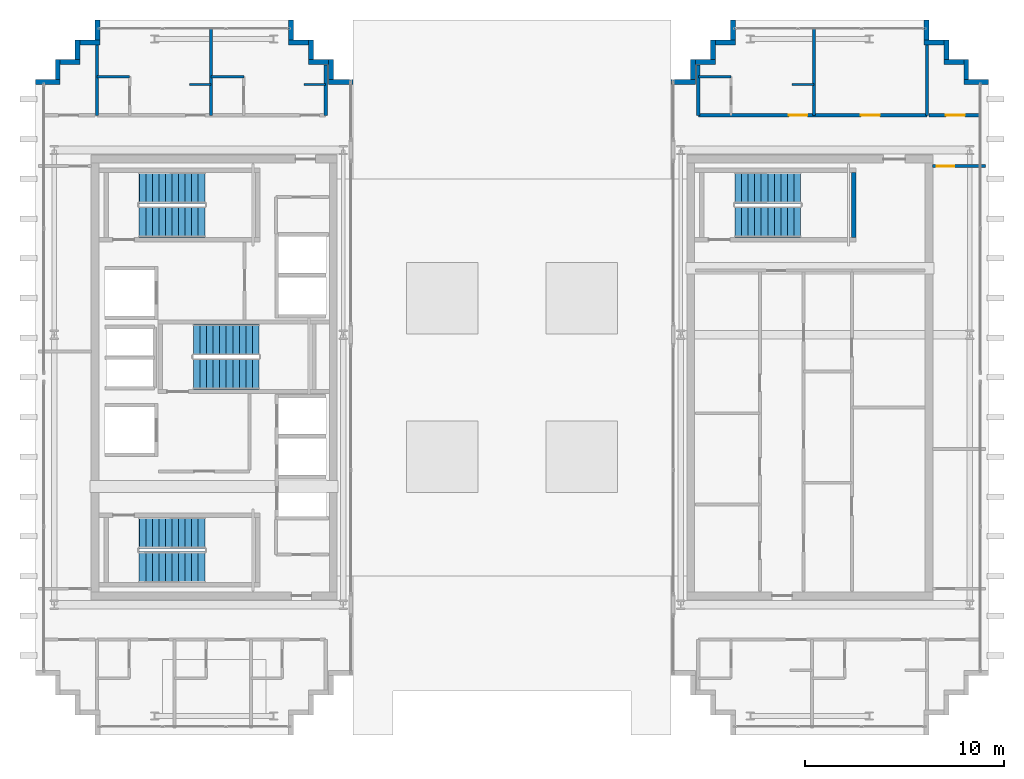
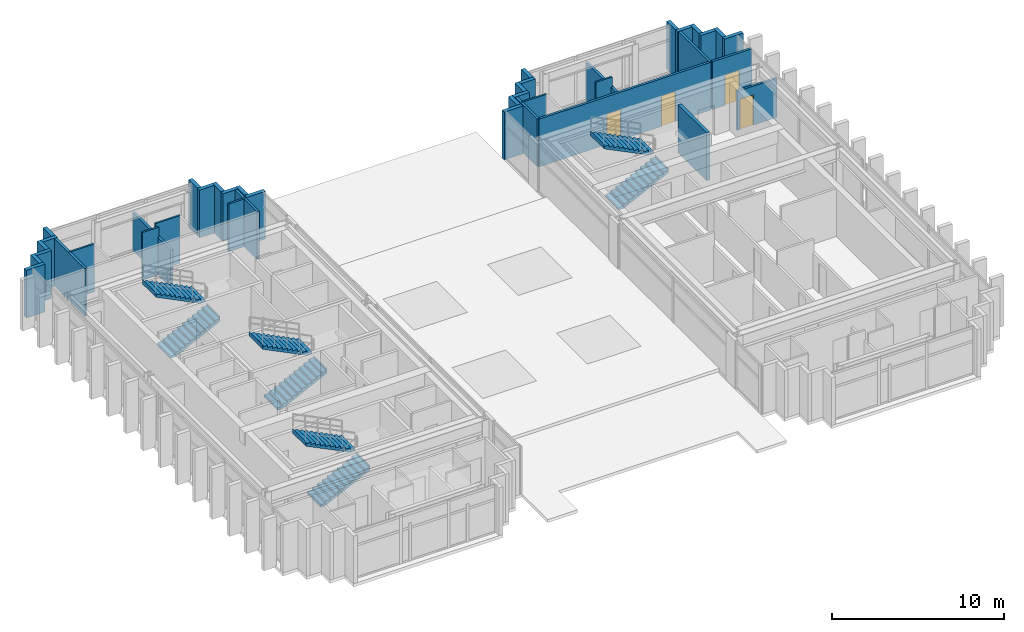
# One storey, part 23 of 25: 40 walls, 8 stair flights, 4 doors, 4 openings, 4 elements without a shape of their own.
"""IFC4 building model written with IfcOpenShell, lengths in metres."""

import ifcopenshell
import ifcopenshell.guid

model = None  # the IFC model being written
_history = None  # IfcOwnerHistory: only IFC2X3 demands one
_inside = {}  # id of a spatial element -> (the spatial element, [elements in it])
_under = {}  # id of a project, library or spatial element -> (it, [spatial elements below it])
_declared = {}  # id of a project -> (the project, [libraries it declares])
_typed = {}  # id of a type object -> (the type object, [elements of that type])
_made_of = {}  # id of a material, layer set ... -> (it, [elements and type objects made of it])


def new_model(schema):
    """Start an empty IFC model of exactly this schema.

    Asked for "IFC4X3", IfcOpenShell would pick the latest addendum, in which some entities
    have other attributes; the version numbers below select the first issue.
    IFC2X3 requires an IfcOwnerHistory on every rooted entity: one is made here for all.
    """
    global model, _history
    if schema == "IFC4X3":
        model = ifcopenshell.file(schema_version=(4, 3, 0, 0))
    else:
        model = ifcopenshell.file(schema=schema)
    _inside.clear()
    _under.clear()
    _declared.clear()
    _typed.clear()
    _made_of.clear()
    _history = None
    if model.schema == "IFC2X3":
        org = make("IfcOrganization", Name="unknown")
        user = make(
            "IfcPersonAndOrganization",
            ThePerson=make("IfcPerson", FamilyName="unknown"),
            TheOrganization=org,
        )
        app = make(
            "IfcApplication",
            ApplicationDeveloper=org,
            Version="unknown",
            ApplicationFullName="unknown",
            ApplicationIdentifier="unknown",
        )
        _history = make(
            "IfcOwnerHistory",
            OwningUser=user,
            OwningApplication=app,
            ChangeAction="ADDED",
            CreationDate=0,
        )
    return model


def make(cls, **values):
    """One entity of the class cls with the attributes given. An attribute that is None is left unset."""
    return model.create_entity(
        cls, **{name: value for name, value in values.items() if value is not None}
    )


def rooted(cls, **values):
    """An entity with a GlobalId (a new one), such as an element, a storey or a relation."""
    return make(cls, GlobalId=ifcopenshell.guid.new(), OwnerHistory=_history, **values)


def si_unit(unit_type, name, prefix=None):
    """IfcSIUnit, for example si_unit("LENGTHUNIT", "METRE", prefix="MILLI")."""
    return make("IfcSIUnit", UnitType=unit_type, Prefix=prefix, Name=name)


def assignment(units):
    """IfcUnitAssignment: the units of a project."""
    return None if units is None else make("IfcUnitAssignment", Units=units)


def point(xyz):
    """IfcCartesianPoint."""
    return None if xyz is None else make("IfcCartesianPoint", Coordinates=xyz)


def direction(xyz):
    """IfcDirection."""
    return None if xyz is None else make("IfcDirection", DirectionRatios=xyz)


def frame(location, z_axis=None, x_axis=None):
    """IfcAxis2Placement3D, a coordinate frame: its origin and axes. An axis left out is left unset."""
    return make(
        "IfcAxis2Placement3D",
        Location=point(location),
        Axis=direction(z_axis),
        RefDirection=direction(x_axis),
    )


def frame_2d(location, x_axis=None):
    """IfcAxis2Placement2D, a coordinate frame in the plane: its origin and x axis."""
    return make(
        "IfcAxis2Placement2D", Location=point(location), RefDirection=direction(x_axis)
    )


def origin():
    """The frame at (0, 0, 0) with its axes left unset."""
    return frame((0.0, 0.0, 0.0))


def place(relative_to, where):
    """IfcLocalPlacement: puts the frame where relative to a parent placement (None: the world)."""
    return make(
        "IfcLocalPlacement", PlacementRelTo=relative_to, RelativePlacement=where
    )


def context(
    kind, dimensions, precision=None, world=None, true_north=None, identifier=None
):
    """IfcGeometricRepresentationContext, for example the 3D "Model" context."""
    return make(
        "IfcGeometricRepresentationContext",
        ContextIdentifier=identifier,
        ContextType=kind,
        CoordinateSpaceDimension=dimensions,
        Precision=precision,
        WorldCoordinateSystem=world,
        TrueNorth=true_north,
    )


def subcontext(parent, identifier, kind, view, scale=None):
    """IfcGeometricRepresentationSubContext, for example "Body" below "Model"."""
    return make(
        "IfcGeometricRepresentationSubContext",
        ContextIdentifier=identifier,
        ContextType=kind,
        ParentContext=parent,
        TargetScale=scale,
        TargetView=view,
    )


def project(units=None, contexts=None):
    """IfcProject with its units and contexts."""
    return rooted(
        "IfcProject",
        Name="project",
        RepresentationContexts=contexts,
        UnitsInContext=assignment(units),
    )


def spatial(cls, under=None, at=None, **own):
    """A site, building, storey or space (cls), placed at a placement, below another one or the project."""
    s = rooted(cls, ObjectPlacement=at, **own)
    if under is not None:
        _under.setdefault(under.id(), (under, []))[1].append(s)
    return s


def polyline(points):
    """IfcPolyline through the points."""
    return make("IfcPolyline", Points=[point(p) for p in points])


def profile(cls, at=None, kind="AREA", **sizes):
    """A parametric profile (cls). Its sizes go by their IFC names, for example OverallWidth=200.0."""
    return make(cls, ProfileType=kind, Position=at, **sizes)


def rectangle(**sizes):
    """IfcRectangleProfileDef."""
    return profile("IfcRectangleProfileDef", **sizes)


def outline(outer, holes=None, kind="AREA"):
    """IfcArbitraryClosedProfileDef: a profile drawn as a closed curve; with holes, ...WithVoids."""
    if holes is None:
        return make("IfcArbitraryClosedProfileDef", ProfileType=kind, OuterCurve=outer)
    return make(
        "IfcArbitraryProfileDefWithVoids",
        ProfileType=kind,
        OuterCurve=outer,
        InnerCurves=holes,
    )


def extrude(swept, where, along, depth):
    """IfcExtrudedAreaSolid: the profile swept, set in the frame where, extruded along a direction by depth."""
    return make(
        "IfcExtrudedAreaSolid",
        SweptArea=swept,
        Position=where,
        ExtrudedDirection=direction(along),
        Depth=depth,
    )


def shape(context_of_items, identifier, shape_type, items):
    """IfcShapeRepresentation: the items that make up one representation, for example the "Body"."""
    return make(
        "IfcShapeRepresentation",
        ContextOfItems=context_of_items,
        RepresentationIdentifier=identifier,
        RepresentationType=shape_type,
        Items=items,
    )


def source(mapping_origin, context_of_items, identifier, shape_type, items):
    """IfcRepresentationMap: a shape defined once, which mapped items show again and again."""
    return make(
        "IfcRepresentationMap",
        MappingOrigin=mapping_origin,
        MappedRepresentation=shape(context_of_items, identifier, shape_type, items),
    )


def transform(
    local_origin,
    x_axis=None,
    y_axis=None,
    z_axis=None,
    scale=None,
    scale2=None,
    scale3=None,
    uniform=True,
):
    """IfcCartesianTransformationOperator3D, or its non-uniform kind. x_axis, y_axis, z_axis: its Axis1, 2, 3."""
    if uniform:
        return make(
            "IfcCartesianTransformationOperator3D",
            Axis1=direction(x_axis),
            Axis2=direction(y_axis),
            LocalOrigin=point(local_origin),
            Scale=scale,
            Axis3=direction(z_axis),
        )
    return make(
        "IfcCartesianTransformationOperator3DnonUniform",
        Axis1=direction(x_axis),
        Axis2=direction(y_axis),
        LocalOrigin=point(local_origin),
        Scale=scale,
        Axis3=direction(z_axis),
        Scale2=scale2,
        Scale3=scale3,
    )


def mapped(mapping_source, mapping_target):
    """IfcMappedItem: shows the shape of a source again, moved by a transform."""
    return make(
        "IfcMappedItem", MappingSource=mapping_source, MappingTarget=mapping_target
    )


def material(Name=None, Category=None):
    """IfcMaterial."""
    return make("IfcMaterial", Name=Name, Category=Category)


def layer(
    of_material, thickness, ventilated=None, Name=None, Category=None, Priority=None
):
    """IfcMaterialLayer: one layer of a wall or slab, of a material (None: an air gap)."""
    return make(
        "IfcMaterialLayer",
        Material=of_material,
        LayerThickness=thickness,
        IsVentilated=ventilated,
        Name=Name,
        Category=Category,
        Priority=Priority,
    )


def layer_set(layers, Name=None):
    """IfcMaterialLayerSet."""
    return make("IfcMaterialLayerSet", MaterialLayers=layers, LayerSetName=Name)


def made_of(thing, what):
    """Note that an element or type object is made of a material, layer set ...; save() writes the relation."""
    if what is not None:
        _made_of.setdefault(what.id(), (what, []))[1].append(thing)
    return thing


def type_object(cls, material=None, **own):
    """A type object (cls), such as IfcWallType, which elements share."""
    return made_of(rooted(cls, **own), material)


def element(
    cls,
    number,
    at=None,
    inside=None,
    cuts=None,
    type_object=None,
    material=None,
    context=None,
    identifier="Body",
    shape_type=None,
    held_by="IfcProductDefinitionShape",
    body=None,
    shapes=None,
    **own,
):
    """One element of the class cls, such as IfcWall. Its Tag is "e" and its number.

    at: its placement. inside: the storey or other place that contains it. cuts: it is an
    opening in that element (IfcRelVoidsElement). A single representation is given by context,
    identifier, shape_type and body (its items); several are given by shapes. held_by: the class
    of the entity that holds the representations. save() writes the other relations.
    """
    e = rooted(cls, Tag="e%d" % number, ObjectPlacement=at, **own)
    if body is not None:
        shapes = [shape(context, identifier, shape_type, body)]
    if shapes is not None:
        e.Representation = make(held_by, Representations=shapes)
    if inside is not None:
        _inside.setdefault(inside.id(), (inside, []))[1].append(e)
    if cuts is not None:
        rooted(
            "IfcRelVoidsElement", RelatingBuildingElement=cuts, RelatedOpeningElement=e
        )
    if type_object is not None:
        _typed.setdefault(type_object.id(), (type_object, []))[1].append(e)
    return made_of(e, material)


def fill(opening, filler):
    """IfcRelFillsElement: the door or window that sits in an opening."""
    return rooted(
        "IfcRelFillsElement",
        RelatingOpeningElement=opening,
        RelatedBuildingElement=filler,
    )


def aggregate(whole, parts):
    """IfcRelAggregates: a whole, such as a stair, and the parts it consists of."""
    return rooted("IfcRelAggregates", RelatingObject=whole, RelatedObjects=parts)


def save(model, path):
    """Write the relations noted so far, then the file.

    IfcRelAggregates (storeys below a building ...), IfcRelContainedInSpatialStructure (elements
    in a storey), IfcRelDefinesByType, IfcRelAssociatesMaterial and IfcRelDeclares: one each for
    every whole, place, type object, material and project.
    """
    for whole, parts in _under.values():
        aggregate(whole, parts)
    for where, things in _inside.values():
        rooted(
            "IfcRelContainedInSpatialStructure",
            RelatedElements=things,
            RelatingStructure=where,
        )
    for kind, things in _typed.values():
        rooted("IfcRelDefinesByType", RelatedObjects=things, RelatingType=kind)
    for what, things in _made_of.values():
        rooted("IfcRelAssociatesMaterial", RelatedObjects=things, RelatingMaterial=what)
    for by, libraries in _declared.values():
        rooted("IfcRelDeclares", RelatingContext=by, RelatedDefinitions=libraries)
    model.write(path)


model = new_model("IFC4")

# Units and contexts
model_context = context("Model", 3, precision=1e-05, world=origin(), true_north=direction((0.0, 1.0)))
body_context = subcontext(model_context, "Body", "Model", "MODEL_VIEW")
ifc_project = project(units=[si_unit("LENGTHUNIT", "METRE"), si_unit("AREAUNIT", "SQUARE_METRE"), si_unit("VOLUMEUNIT", "CUBIC_METRE"), si_unit("PLANEANGLEUNIT", "RADIAN"), si_unit("MASSUNIT", "GRAM", prefix="KILO")], contexts=[model_context])

# Site, building, storey
site_placement = place(None, origin())
site = spatial("IfcSite", under=ifc_project, at=site_placement, CompositionType="ELEMENT")
building_placement = place(site_placement, origin())
building = spatial("IfcBuilding", under=site, at=building_placement, Name="Ocotamira Hotel", CompositionType="ELEMENT")
storey_placement = place(building_placement, frame((0.0, 0.0, 250.800048828125)))
storey = spatial("IfcBuildingStorey", under=building, at=storey_placement, Name="L63", CompositionType="ELEMENT", Elevation=250.800048828125)

# Walls
ifc_material_1 = material(Name="Precast concrete C45/55", Category="concrete")
ifc_layer_1 = layer(ifc_material_1, 0.25)
ifc_layer_set_1 = layer_set([ifc_layer_1], Name="Precast concrete C45/55")
wall_type_1 = type_object("IfcWallType", Name="WL-EXT-SER-250", PredefinedType="SOLIDWALL", material=ifc_layer_set_1)
wall_1_placement = place(storey_placement, frame((24.0, 40.875, 0.0), z_axis=(0.0, 0.0, 1.0), x_axis=(-1.0, 0.0, 0.0)))
element("IfcWall", 1, at=wall_1_placement, inside=storey, type_object=wall_type_1, Name="L63 -W Serrated Corner Wall 07", PredefinedType="SOLIDWALL", context=body_context, shape_type="SweptSolid", body=[
    extrude(rectangle(XDim=1.25, YDim=0.25, at=frame_2d((0.625, 0.0))), origin(), (0.0, 0.0, 1.0), 3.3798828125),
])
for number, where, z_axis, x_axis, name in (
    (2, (22.875, 41.0, 0.0), (0.0, 0.0, 1.0), (0.0, 1.0, 0.0), "L63 -W Serrated Corner Wall 08"),
    (3, (22.75, 41.875, 0.0), (0.0, 0.0, 1.0), (-1.0, 0.0, 0.0), "L63 -W Serrated Corner Wall 09"),
    (4, (21.875, 42.0, 0.0), (0.0, 0.0, 1.0), (0.0, 1.0, 0.0), "L63 -W Serrated Corner Wall 10"),
    (5, (21.75, 42.875, 0.0), (0.0, 0.0, 1.0), (-1.0, 0.0, 0.0), "L63 -W Serrated Corner Wall 11"),
    (6, (20.875, 43.0, 0.0), (0.0, 0.0, 1.0), (0.0, 1.0, 0.0), "L63 -W Serrated Corner Wall 12"),
    (7, (11.125, 44.0, 0.0), (0.0, 0.0, 1.0), (0.0, -1.0, 0.0), "L63 -W Serrated Corner Wall 13"),
    (8, (11.25, 42.875, 0.0), (0.0, 0.0, 1.0), (-1.0, 0.0, 0.0), "L63 -W Serrated Corner Wall 14"),
    (9, (10.125, 43.0, 0.0), (0.0, 0.0, 1.0), (0.0, -1.0, 0.0), "L63 -W Serrated Corner Wall 15"),
    (10, (10.25, 41.875, 0.0), (0.0, 0.0, 1.0), (-1.0, 0.0, 0.0), "L63 -W Serrated Corner Wall 16"),
    (11, (9.125, 42.0, 0.0), (0.0, 0.0, 1.0), (0.0, -1.0, 0.0), "L63 -W Serrated Corner Wall 17"),
):
    element("IfcWall", number, at=place(storey_placement, frame(where, z_axis=z_axis, x_axis=x_axis)), inside=storey, type_object=wall_type_1, Name=name, PredefinedType="SOLIDWALL", context=body_context, shape_type="SweptSolid", body=[
        extrude(rectangle(XDim=1.0, YDim=0.25, at=frame_2d((0.5, 0.0))), origin(), (0.0, 0.0, 1.0), 3.3798828125),
    ])
for number, where, z_axis, x_axis, name in (
    (12, (9.25, 40.875, 0.0), (0.0, 0.0, 1.0), (-1.0, 0.0, 0.0), "L63 -W Serrated Corner Wall 18"),
    (13, (56.0, 40.875, 0.0), (0.0, 0.0, 1.0), (-1.0, 0.0, 0.0), "L63 -E Serrated Corner Wall 07"),
):
    element("IfcWall", number, at=place(storey_placement, frame(where, z_axis=z_axis, x_axis=x_axis)), inside=storey, type_object=wall_type_1, Name=name, PredefinedType="SOLIDWALL", context=body_context, shape_type="SweptSolid", body=[
        extrude(rectangle(XDim=1.25, YDim=0.25, at=frame_2d((0.625, 0.0))), origin(), (0.0, 0.0, 1.0), 3.3798828125),
    ])
for number, where, z_axis, x_axis, name in (
    (14, (54.875, 41.0, 0.0), (0.0, 0.0, 1.0), (0.0, 1.0, 0.0), "L63 -E Serrated Corner Wall 08"),
    (15, (54.75, 41.875, 0.0), (0.0, 0.0, 1.0), (-1.0, 0.0, 0.0), "L63 -E Serrated Corner Wall 09"),
    (16, (53.875, 42.0, 0.0), (0.0, 0.0, 1.0), (0.0, 1.0, 0.0), "L63 -E Serrated Corner Wall 10"),
    (17, (53.75, 42.875, 0.0), (0.0, 0.0, 1.0), (-1.0, 0.0, 0.0), "L63 -E Serrated Corner Wall 11"),
    (18, (52.875, 43.0, 0.0), (0.0, 0.0, 1.0), (0.0, 1.0, 0.0), "L63 -E Serrated Corner Wall 12"),
    (19, (43.125, 44.0, 0.0), (0.0, 0.0, 1.0), (0.0, -1.0, 0.0), "L63 -E Serrated Corner Wall 13"),
    (20, (43.25, 42.875, 0.0), (0.0, 0.0, 1.0), (-1.0, 0.0, 0.0), "L63 -E Serrated Corner Wall 14"),
    (21, (42.125, 43.0, 0.0), (0.0, 0.0, 1.0), (0.0, -1.0, 0.0), "L63 -E Serrated Corner Wall 15"),
    (22, (42.25, 41.875, 0.0), (0.0, 0.0, 1.0), (-1.0, 0.0, 0.0), "L63 -E Serrated Corner Wall 16"),
    (23, (41.125, 42.0, 0.0), (0.0, 0.0, 1.0), (0.0, -1.0, 0.0), "L63 -E Serrated Corner Wall 17"),
):
    element("IfcWall", number, at=place(storey_placement, frame(where, z_axis=z_axis, x_axis=x_axis)), inside=storey, type_object=wall_type_1, Name=name, PredefinedType="SOLIDWALL", context=body_context, shape_type="SweptSolid", body=[
        extrude(rectangle(XDim=1.0, YDim=0.25, at=frame_2d((0.5, 0.0))), origin(), (0.0, 0.0, 1.0), 3.3798828125),
    ])
wall_2_placement = place(storey_placement, frame((41.25, 40.875, 0.0), z_axis=(0.0, 0.0, 1.0), x_axis=(-1.0, 0.0, 0.0)))
element("IfcWall", 24, at=wall_2_placement, inside=storey, type_object=wall_type_1, Name="L63 -E Serrated Corner Wall 18", PredefinedType="SOLIDWALL", context=body_context, shape_type="SweptSolid", body=[
    extrude(rectangle(XDim=1.25, YDim=0.25, at=frame_2d((0.625, 0.0))), origin(), (0.0, 0.0, 1.0), 3.3798828125),
])

# Wall, openings, doors
ifc_material_2 = material(Name="Acoustic double-layer fire gypsum board partition", Category="gypsum")
ifc_layer_2 = layer(ifc_material_2, 0.159912109375)
ifc_layer_set_2 = layer_set([ifc_layer_2], Name="Acoustic double-layer fire gypsum board partition")
wall_type_2 = type_object("IfcWallType", Name="WL-FIRE-160", PredefinedType="PARTITIONING", material=ifc_layer_set_2)
wall_3_placement = place(storey_placement, frame((41.3798828125, 39.199951171875, 0.0), z_axis=(0.0, 0.0, 1.0), x_axis=(1.0, 0.0, 0.0)))
wall_3 = element("IfcWall", 25, at=wall_3_placement, inside=storey, type_object=wall_type_2, Name="L63 Interior Wall PW-L63-SPE0N-CORRW", PredefinedType="PARTITIONING", context=body_context, shape_type="SweptSolid", body=[
    extrude(rectangle(XDim=11.52001953125, YDim=0.159912109375, at=frame_2d((5.760009765625, 0.0))), origin(), (0.0, 0.0, 1.0), 3.3798828125),
])
opening_1_placement = place(wall_3_placement, frame((4.56005859375, 0.0, 0.0)))
opening_1 = element("IfcOpeningElement", 26, at=opening_1_placement, cuts=wall_3, Name="Opening D-GR1", PredefinedType="OPENING", context=body_context, shape_type="SweptSolid", body=[
    extrude(rectangle(XDim=0.93994140625, YDim=2.14990234375, at=frame_2d((0.469970703125, 1.074951171875))), frame((0.0, 0.08984375, 0.0), z_axis=(0.0, -1.0, 0.0), x_axis=(1.0, 0.0, 0.0)), (0.0, 0.0, 1.0), 0.179931640625),
])
opening_2_placement = place(wall_3_placement, frame((8.18994140625, 0.0, 0.0)))
opening_2 = element("IfcOpeningElement", 27, at=opening_2_placement, cuts=wall_3, Name="Opening D-SV4", PredefinedType="OPENING", context=body_context, shape_type="SweptSolid", body=[
    extrude(rectangle(XDim=0.9599609375, YDim=2.14990234375, at=frame_2d((0.47998046875, 1.074951171875))), frame((0.0, 0.08984375, 0.0), z_axis=(0.0, -1.0, 0.0), x_axis=(1.0, 0.0, 0.0)), (0.0, 0.0, 1.0), 0.179931640625),
])
ifc_material_3 = material(Name="Fire-rated accessible walnut salon door", Category="wood")
door_type_1 = type_object("IfcDoorType", Name="DR-SERV-960", OperationType="NOTDEFINED", PredefinedType="DOOR", material=ifc_material_3)
shared_shape_1 = source(origin(), body_context, "Body", "SweptSolid", [
    extrude(rectangle(XDim=0.9599609375, YDim=2.14990234375, at=frame_2d((0.47998046875, 1.074951171875))), frame((0.0, 0.02490234375, 0.0), z_axis=(0.0, -1.0, 0.0), x_axis=(1.0, 0.0, 0.0)), (0.0, 0.0, 1.0), 0.050048828125),
])
door_1_placement = place(opening_2_placement, origin())
door_1 = element("IfcDoor", 28, at=door_1_placement, inside=storey, type_object=door_type_1, Name="L63 Door ID-L63-SPE0N-AMD2 [ID-L63-SPE0N-AMD2]", OperationType="SINGLE_SWING_RIGHT", OverallHeight=2.14990234375, OverallWidth=0.9599609375, PredefinedType="DOOR", context=body_context, shape_type="MappedRepresentation", body=[
    mapped(shared_shape_1, transform((0.0, 0.0, 0.0), scale=1.0)),
])
fill(opening_2, door_1)
ifc_material_4 = material(Name="Solid-core walnut suite entrance fire door", Category="wood")
door_type_2 = type_object("IfcDoorType", Name="DR-GUEST-940", OperationType="NOTDEFINED", PredefinedType="DOOR", material=ifc_material_4)
shared_shape_2 = source(origin(), body_context, "Body", "SweptSolid", [
    extrude(rectangle(XDim=0.93994140625, YDim=2.14990234375, at=frame_2d((0.469970703125, 1.074951171875))), frame((0.0, 0.02490234375, 0.0), z_axis=(0.0, -1.0, 0.0), x_axis=(1.0, 0.0, 0.0)), (0.0, 0.0, 1.0), 0.050048828125),
])
door_2_placement = place(opening_1_placement, origin())
door_2 = element("IfcDoor", 29, at=door_2_placement, inside=storey, type_object=door_type_2, Name="L63 Door ID-L63-SPE0N-RMD1 [ID-L63-SPE0N-RMD1]", OperationType="SINGLE_SWING_LEFT", OverallHeight=2.14990234375, OverallWidth=0.93994140625, PredefinedType="DOOR", context=body_context, shape_type="MappedRepresentation", body=[
    mapped(shared_shape_2, transform((0.0, 0.0, 0.0), scale=1.0)),
])
fill(opening_1, door_2)

# Wall, opening, door
wall_4_placement = place(storey_placement, frame((53.0, 39.199951171875, 0.0), z_axis=(0.0, 0.0, 1.0), x_axis=(1.0, 0.0, 0.0)))
wall_4 = element("IfcWall", 30, at=wall_4_placement, inside=storey, type_object=wall_type_2, Name="L63 Interior Wall PW-L63-SPCNE0-CW", PredefinedType="PARTITIONING", context=body_context, shape_type="SweptSolid", body=[
    extrude(rectangle(XDim=2.64990234375, YDim=0.159912109375, at=frame_2d((1.324951171875, 0.0))), origin(), (0.0, 0.0, 1.0), 3.3798828125),
])
opening_3_placement = place(wall_4_placement, frame((0.844970703125, 0.0, 0.0)))
opening_3 = element("IfcOpeningElement", 31, at=opening_3_placement, cuts=wall_4, Name="Opening D-SV4", PredefinedType="OPENING", context=body_context, shape_type="SweptSolid", body=[
    extrude(rectangle(XDim=0.9599609375, YDim=2.14990234375, at=frame_2d((0.47998046875, 1.074951171875))), frame((0.0, 0.08984375, 0.0), z_axis=(0.0, -1.0, 0.0), x_axis=(1.0, 0.0, 0.0)), (0.0, 0.0, 1.0), 0.179931640625),
])
door_3_placement = place(opening_3_placement, origin())
door_3 = element("IfcDoor", 32, at=door_3_placement, inside=storey, type_object=door_type_1, Name="L63 Door ID-L63-SPCNE0-CD [ID-L63-SPCNE0-CD]", OperationType="SINGLE_SWING_LEFT", OverallHeight=2.14990234375, OverallWidth=0.9599609375, PredefinedType="DOOR", context=body_context, shape_type="MappedRepresentation", body=[
    mapped(shared_shape_1, transform((0.0, 0.0, 0.0), scale=1.0)),
])
fill(opening_3, door_3)

# Walls
ifc_material_5 = material(Name="Moisture-resistant en-suite tile and gypsum partition", Category="gypsum")
ifc_layer_3 = layer(ifc_material_5, 0.1201171875)
ifc_layer_set_3 = layer_set([ifc_layer_3], Name="Moisture-resistant en-suite tile and gypsum partition")
wall_type_3 = type_object("IfcWallType", Name="WL-PART-120", PredefinedType="PARTITIONING", material=ifc_layer_set_3)
wall_5_placement = place(storey_placement, frame((11.10009765625, 41.14990234375, 0.0), z_axis=(0.0, 0.0, 1.0), x_axis=(1.0, 0.0, 0.0)))
element("IfcWall", 33, at=wall_5_placement, inside=storey, type_object=wall_type_3, Name="L63 Interior Wall PW-L63-SPW0N-BAN1", PredefinedType="PARTITIONING", context=body_context, shape_type="SweptSolid", body=[
    extrude(rectangle(XDim=1.64990234375, YDim=0.1201171875, at=frame_2d((0.824951171875, 0.0))), origin(), (0.0, 0.0, 1.0), 3.3798828125),
])
wall_6_placement = place(storey_placement, frame((15.75, 40.75, 0.0), z_axis=(0.0, 0.0, 1.0), x_axis=(1.0, 0.0, 0.0)))
element("IfcWall", 34, at=wall_6_placement, inside=storey, type_object=wall_type_3, Name="L63 Interior Wall PW-L63-SPW0N-DRN1", PredefinedType="PARTITIONING", context=body_context, shape_type="SweptSolid", body=[
    extrude(rectangle(XDim=1.10009765625, YDim=0.1201171875, at=frame_2d((0.550048828125, 0.0))), origin(), (0.0, 0.0, 1.0), 3.3798828125),
])
wall_7_placement = place(storey_placement, frame((16.85009765625, 41.14990234375, 0.0), z_axis=(0.0, 0.0, 1.0), x_axis=(1.0, 0.0, 0.0)))
element("IfcWall", 35, at=wall_7_placement, inside=storey, type_object=wall_type_3, Name="L63 Interior Wall PW-L63-SPW0N-BAN2", PredefinedType="PARTITIONING", context=body_context, shape_type="SweptSolid", body=[
    extrude(rectangle(XDim=1.64990234375, YDim=0.1201171875, at=frame_2d((0.824951171875, 0.0))), origin(), (0.0, 0.0, 1.0), 3.3798828125),
])
wall_8_placement = place(storey_placement, frame((21.52001953125, 40.75, 0.0), z_axis=(0.0, 0.0, 1.0), x_axis=(1.0, 0.0, 0.0)))
element("IfcWall", 36, at=wall_8_placement, inside=storey, type_object=wall_type_3, Name="L63 Interior Wall PW-L63-SPW0N-DRN2", PredefinedType="PARTITIONING", context=body_context, shape_type="SweptSolid", body=[
    extrude(rectangle(XDim=1.10009765625, YDim=0.1201171875, at=frame_2d((0.550048828125, 0.0))), origin(), (0.0, 0.0, 1.0), 3.3798828125),
])
wall_9_placement = place(storey_placement, frame((41.3798828125, 41.14990234375, 0.0), z_axis=(0.0, 0.0, 1.0), x_axis=(1.0, 0.0, 0.0)))
element("IfcWall", 37, at=wall_9_placement, inside=storey, type_object=wall_type_3, Name="L63 Interior Wall PW-L63-SPE0N-BAN1", PredefinedType="PARTITIONING", context=body_context, shape_type="SweptSolid", body=[
    extrude(rectangle(XDim=1.650146484375, YDim=0.1201171875, at=frame_2d((0.8251953125, 0.0))), origin(), (0.0, 0.0, 1.0), 3.3798828125),
])
wall_10_placement = place(storey_placement, frame((46.10009765625, 40.75, 0.0), z_axis=(0.0, 0.0, 1.0), x_axis=(1.0, 0.0, 0.0)))
element("IfcWall", 38, at=wall_10_placement, inside=storey, type_object=wall_type_3, Name="L63 Interior Wall PW-L63-SPE0N-DRN1", PredefinedType="PARTITIONING", context=body_context, shape_type="SweptSolid", body=[
    extrude(rectangle(XDim=1.099853515625, YDim=0.1201171875, at=frame_2d((0.5498046875, 0.0))), origin(), (0.0, 0.0, 1.0), 3.3798828125),
])

# Wall, opening, door
ifc_material_6 = material(Name="Acoustic hospitality gypsum board partition", Category="gypsum")
ifc_layer_4 = layer(ifc_material_6, 0.14990234375)
ifc_layer_set_4 = layer_set([ifc_layer_4], Name="Acoustic hospitality gypsum board partition")
wall_type_4 = type_object("IfcWallType", Name="WL-PART-150", PredefinedType="PARTITIONING", material=ifc_layer_set_4)
wall_11_placement = place(storey_placement, frame((53.179931640625, 36.639892578125, 0.0), z_axis=(0.0, 0.0, 1.0), x_axis=(1.0, 0.0, 0.0)))
wall_11 = element("IfcWall", 39, at=wall_11_placement, inside=storey, type_object=wall_type_4, Name="L63 Interior Wall PW-L63-SP0E-WN", PredefinedType="PARTITIONING", context=body_context, shape_type="SweptSolid", body=[
    extrude(rectangle(XDim=2.66015625, YDim=0.14990234375, at=frame_2d((1.330078125, 0.0))), origin(), (0.0, 0.0, 1.0), 2.762939453125),
])
opening_4_placement = place(wall_11_placement, frame((0.199951171875, 0.0, 0.0)))
opening_4 = element("IfcOpeningElement", 40, at=opening_4_placement, cuts=wall_11, Name="Opening D-SV2", PredefinedType="OPENING", context=body_context, shape_type="SweptSolid", body=[
    extrude(rectangle(XDim=0.8798828125, YDim=2.14990234375, at=frame_2d((0.43994140625, 1.074951171875))), frame((0.0, 0.0849609375, 0.0), z_axis=(0.0, -1.0, 0.0), x_axis=(1.0, 0.0, 0.0)), (0.0, 0.0, 1.0), 0.169921875),
])
ifc_material_7 = material(Name="Fire-rated painted steel service door", Category="steel")
door_type_3 = type_object("IfcDoorType", Name="DR-SERV-880", OperationType="NOTDEFINED", PredefinedType="DOOR", material=ifc_material_7)
shared_shape_3 = source(origin(), body_context, "Body", "SweptSolid", [
    extrude(rectangle(XDim=0.8798828125, YDim=2.14990234375, at=frame_2d((0.43994140625, 1.074951171875))), frame((0.0, 0.02490234375, 0.0), z_axis=(0.0, -1.0, 0.0), x_axis=(1.0, 0.0, 0.0)), (0.0, 0.0, 1.0), 0.050048828125),
])
door_4_placement = place(opening_4_placement, origin())
door_4 = element("IfcDoor", 41, at=door_4_placement, inside=storey, type_object=door_type_3, Name="L63 Door ID-L63-SP0E-DN [ID-L63-SP0E-DN]", OperationType="SINGLE_SWING_LEFT", OverallHeight=2.14990234375, OverallWidth=0.8798828125, PredefinedType="DOOR", context=body_context, shape_type="MappedRepresentation", body=[
    mapped(shared_shape_3, transform((0.0, 0.0, 0.0), scale=1.0)),
])
fill(opening_4, door_4)

# Walls
ifc_material_8 = material(Name="Acoustic double-stud hospitality gypsum partition", Category="gypsum")
ifc_layer_5 = layer(ifc_material_8, 0.159912109375)
ifc_layer_set_5 = layer_set([ifc_layer_5], Name="Acoustic double-stud hospitality gypsum partition")
wall_type_5 = type_object("IfcWallType", Name="WL-PART-160", PredefinedType="PARTITIONING", material=ifc_layer_set_5)
wall_12_placement = place(storey_placement, frame((11.10009765625, 39.199951171875, 0.0), z_axis=(0.0, 0.0, 1.0), x_axis=(0.0, 1.0, 0.0)))
element("IfcWall", 42, at=wall_12_placement, inside=storey, type_object=wall_type_5, Name="L63 Interior Wall PW-L63-SPW0N-PW0", PredefinedType="PARTITIONING", context=body_context, shape_type="SweptSolid", body=[
    extrude(rectangle(XDim=3.5400390625, YDim=0.159912109375, at=frame_2d((1.77001953125, 0.0))), origin(), (0.0, 0.0, 1.0), 3.3798828125),
])
wall_13_placement = place(storey_placement, frame((22.6201171875, 39.199951171875, 0.0), z_axis=(0.0, 0.0, 1.0), x_axis=(0.0, 1.0, 0.0)))
element("IfcWall", 43, at=wall_13_placement, inside=storey, type_object=wall_type_5, Name="L63 Interior Wall PW-L63-SPW0N-PWEND", PredefinedType="PARTITIONING", context=body_context, shape_type="SweptSolid", body=[
    extrude(rectangle(XDim=2.5400390625, YDim=0.159912109375, at=frame_2d((1.27001953125, 0.0))), origin(), (0.0, 0.0, 1.0), 3.3798828125),
])
wall_14_placement = place(storey_placement, frame((16.85009765625, 39.199951171875, 0.0), z_axis=(0.0, 0.0, 1.0), x_axis=(0.0, 1.0, 0.0)))
element("IfcWall", 44, at=wall_14_placement, inside=storey, type_object=wall_type_5, Name="L63 Interior Wall PW-L63-SPW0N-PW1", PredefinedType="PARTITIONING", context=body_context, shape_type="SweptSolid", body=[
    extrude(rectangle(XDim=4.43994140625, YDim=0.159912109375, at=frame_2d((2.219970703125, 0.0))), origin(), (0.0, 0.0, 1.0), 2.68701171875),
])
wall_15_placement = place(storey_placement, frame((41.3798828125, 39.199951171875, 0.0), z_axis=(0.0, 0.0, 1.0), x_axis=(0.0, 1.0, 0.0)))
element("IfcWall", 45, at=wall_15_placement, inside=storey, type_object=wall_type_5, Name="L63 Interior Wall PW-L63-SPE0N-PW0", PredefinedType="PARTITIONING", context=body_context, shape_type="SweptSolid", body=[
    extrude(rectangle(XDim=2.5400390625, YDim=0.159912109375, at=frame_2d((1.27001953125, 0.0))), origin(), (0.0, 0.0, 1.0), 3.3798828125),
])
wall_16_placement = place(storey_placement, frame((52.89990234375, 39.199951171875, 0.0), z_axis=(0.0, 0.0, 1.0), x_axis=(0.0, 1.0, 0.0)))
element("IfcWall", 46, at=wall_16_placement, inside=storey, type_object=wall_type_5, Name="L63 Interior Wall PW-L63-SPE0N-PWEND", PredefinedType="PARTITIONING", context=body_context, shape_type="SweptSolid", body=[
    extrude(rectangle(XDim=3.5400390625, YDim=0.159912109375, at=frame_2d((1.77001953125, 0.0))), origin(), (0.0, 0.0, 1.0), 3.3798828125),
])
wall_17_placement = place(storey_placement, frame((47.199951171875, 39.199951171875, 0.0), z_axis=(0.0, 0.0, 1.0), x_axis=(0.0, 1.0, 0.0)))
element("IfcWall", 47, at=wall_17_placement, inside=storey, type_object=wall_type_5, Name="L63 Interior Wall PW-L63-SPE0N-PW1", PredefinedType="PARTITIONING", context=body_context, shape_type="SweptSolid", body=[
    extrude(rectangle(XDim=4.43994140625, YDim=0.159912109375, at=frame_2d((2.219970703125, 0.0))), origin(), (0.0, 0.0, 1.0), 2.68701171875),
])
ifc_material_9 = material(Name="Concrete C50/60", Category="concrete")
ifc_layer_6 = layer(ifc_material_9, 0.219970703125)
ifc_layer_set_6 = layer_set([ifc_layer_6], Name="Concrete C50/60")
wall_type_6 = type_object("IfcWallType", Name="WL-STAIR-220", PredefinedType="SHEAR", material=ifc_layer_set_6)
wall_18_placement = place(storey_placement, frame((49.199951171875, 33.050048828125, 0.0), z_axis=(0.0, 0.0, 1.0), x_axis=(0.0, 1.0, 0.0)))
element("IfcWall", 48, at=wall_18_placement, inside=storey, type_object=wall_type_6, Name="L63 Stair Shaft Structural Wall ST-4-E", PredefinedType="SHEAR", context=body_context, shape_type="SweptSolid", body=[
    extrude(rectangle(XDim=3.280029296875, YDim=0.219970703125, at=frame_2d((1.64013671875, 0.0))), origin(), (0.0, 0.0, 1.0), 3.39990234375),
])

# Stair, stair flights
ifc_material_10 = material(Name="Concrete C40/50", Category="concrete")
stair_type = type_object("IfcStairType", Name="ST-CORE-1560", PredefinedType="HALF_TURN_STAIR", material=ifc_material_10)
stair_1_placement = place(storey_placement, origin())
stair_1 = element("IfcStair", 49, at=stair_1_placement, inside=storey, type_object=stair_type, Name="L63 Exit Stair ST-1", PredefinedType="HALF_TURN_STAIR")
stair_flight_type = type_object("IfcStairFlightType", Name="STF-CORE-1560", PredefinedType="STRAIGHT", material=ifc_material_10)
shared_shape_4 = source(origin(), body_context, "Body", "SweptSolid", [
    extrude(outline(polyline([(-0.00390625, 0.0), (-0.00390625, 0.16357421875), (0.330078125, 0.16357421875), (0.330078125, 0.327392578125), (0.659912109375, 0.327392578125), (0.659912109375, 0.490966796875), (0.989990234375, 0.490966796875), (0.989990234375, 0.654541015625), (1.320068359375, 0.654541015625), (1.320068359375, 0.818115234375), (1.64990234375, 0.818115234375), (1.64990234375, 0.98193359375), (1.97998046875, 0.98193359375), (1.97998046875, 1.1455078125), (2.31005859375, 1.1455078125), (2.31005859375, 1.30908203125), (2.639892578125, 1.30908203125), (2.639892578125, 1.47265625), (2.969970703125, 1.47265625), (2.969970703125, 1.636474609375), (3.300048828125, 1.636474609375), (3.300048828125, 1.800048828125), (3.303955078125, 1.800048828125), (3.303955078125, 1.468994140625), (0.33740234375, 0.0), (-0.00390625, 0.0)])), frame((0.0, 0.780029296875, 0.0), z_axis=(0.0, -1.0, 0.0), x_axis=(1.0, 0.0, 0.0)), (0.0, 0.0, 1.0), 1.56005859375),
])
stair_flight_1_placement = place(storey_placement, frame((13.22998046875, 16.449951171875, 0.0), z_axis=(0.0, 0.0, 1.0), x_axis=(1.0, 0.0, 0.0)))
stair_flight_1 = element("IfcStairFlight", 50, at=stair_flight_1_placement, type_object=stair_flight_type, Name="ST-1 flight 1", NumberOfRisers=11, NumberOfTreads=10, PredefinedType="STRAIGHT", RiserHeight=0.163636364, TreadLength=0.33, context=body_context, shape_type="MappedRepresentation", body=[
    mapped(shared_shape_4, transform((0.0, 0.0, 0.0), scale=1.0)),
])
stair_flight_2_placement = place(storey_placement, frame((16.530029296875, 18.169921875, 1.800048828125), z_axis=(0.0, 0.0, 1.0), x_axis=(-1.0, 0.0, 0.0)))
stair_flight_2 = element("IfcStairFlight", 51, at=stair_flight_2_placement, type_object=stair_flight_type, Name="ST-1 flight 2", NumberOfRisers=11, NumberOfTreads=10, PredefinedType="STRAIGHT", RiserHeight=0.163636364, TreadLength=0.33, context=body_context, shape_type="MappedRepresentation", body=[
    mapped(shared_shape_4, transform((0.0, 0.0, 0.0), scale=1.0)),
])
aggregate(stair_1, [stair_flight_1, stair_flight_2])

stair_2_placement = place(storey_placement, origin())
stair_2 = element("IfcStair", 52, at=stair_2_placement, inside=storey, type_object=stair_type, Name="L63 Exit Stair ST-2", PredefinedType="HALF_TURN_STAIR")
stair_flight_3_placement = place(storey_placement, frame((13.22998046875, 33.830078125, 0.0), z_axis=(0.0, 0.0, 1.0), x_axis=(1.0, 0.0, 0.0)))
stair_flight_3 = element("IfcStairFlight", 53, at=stair_flight_3_placement, type_object=stair_flight_type, Name="ST-2 flight 1", NumberOfRisers=11, NumberOfTreads=10, PredefinedType="STRAIGHT", RiserHeight=0.163636364, TreadLength=0.33, context=body_context, shape_type="MappedRepresentation", body=[
    mapped(shared_shape_4, transform((0.0, 0.0, 0.0), scale=1.0)),
])
stair_flight_4_placement = place(storey_placement, frame((16.530029296875, 35.550048828125, 1.800048828125), z_axis=(0.0, 0.0, 1.0), x_axis=(-1.0, 0.0, 0.0)))
stair_flight_4 = element("IfcStairFlight", 54, at=stair_flight_4_placement, type_object=stair_flight_type, Name="ST-2 flight 2", NumberOfRisers=11, NumberOfTreads=10, PredefinedType="STRAIGHT", RiserHeight=0.163636364, TreadLength=0.33, context=body_context, shape_type="MappedRepresentation", body=[
    mapped(shared_shape_4, transform((0.0, 0.0, 0.0), scale=1.0)),
])
aggregate(stair_2, [stair_flight_3, stair_flight_4])

stair_3_placement = place(storey_placement, origin())
stair_3 = element("IfcStair", 55, at=stair_3_placement, inside=storey, type_object=stair_type, Name="L63 Exit Stair ST-3", PredefinedType="HALF_TURN_STAIR")
stair_flight_5_placement = place(storey_placement, frame((15.9599609375, 26.179931640625, 0.0), z_axis=(0.0, 0.0, 1.0), x_axis=(1.0, 0.0, 0.0)))
stair_flight_5 = element("IfcStairFlight", 56, at=stair_flight_5_placement, type_object=stair_flight_type, Name="ST-3 flight 1", NumberOfRisers=11, NumberOfTreads=10, PredefinedType="STRAIGHT", RiserHeight=0.163636364, TreadLength=0.33, context=body_context, shape_type="MappedRepresentation", body=[
    mapped(shared_shape_4, transform((0.0, 0.0, 0.0), scale=1.0)),
])
stair_flight_6_placement = place(storey_placement, frame((19.260009765625, 27.89990234375, 1.800048828125), z_axis=(0.0, 0.0, 1.0), x_axis=(-1.0, 0.0, 0.0)))
stair_flight_6 = element("IfcStairFlight", 57, at=stair_flight_6_placement, type_object=stair_flight_type, Name="ST-3 flight 2", NumberOfRisers=11, NumberOfTreads=10, PredefinedType="STRAIGHT", RiserHeight=0.163636364, TreadLength=0.33, context=body_context, shape_type="MappedRepresentation", body=[
    mapped(shared_shape_4, transform((0.0, 0.0, 0.0), scale=1.0)),
])
aggregate(stair_3, [stair_flight_5, stair_flight_6])

stair_4_placement = place(storey_placement, origin())
stair_4 = element("IfcStair", 58, at=stair_4_placement, inside=storey, type_object=stair_type, Name="L63 Exit Stair ST-4", PredefinedType="HALF_TURN_STAIR")
stair_flight_7_placement = place(storey_placement, frame((43.22998046875, 33.830078125, 0.0), z_axis=(0.0, 0.0, 1.0), x_axis=(1.0, 0.0, 0.0)))
stair_flight_7 = element("IfcStairFlight", 59, at=stair_flight_7_placement, type_object=stair_flight_type, Name="ST-4 flight 1", NumberOfRisers=11, NumberOfTreads=10, PredefinedType="STRAIGHT", RiserHeight=0.163636364, TreadLength=0.33, context=body_context, shape_type="MappedRepresentation", body=[
    mapped(shared_shape_4, transform((0.0, 0.0, 0.0), scale=1.0)),
])
stair_flight_8_placement = place(storey_placement, frame((46.530029296875, 35.550048828125, 1.800048828125), z_axis=(0.0, 0.0, 1.0), x_axis=(-1.0, 0.0, 0.0)))
stair_flight_8 = element("IfcStairFlight", 60, at=stair_flight_8_placement, type_object=stair_flight_type, Name="ST-4 flight 2", NumberOfRisers=11, NumberOfTreads=10, PredefinedType="STRAIGHT", RiserHeight=0.163636364, TreadLength=0.33, context=body_context, shape_type="MappedRepresentation", body=[
    mapped(shared_shape_4, transform((0.0, 0.0, 0.0), scale=1.0)),
])
aggregate(stair_4, [stair_flight_7, stair_flight_8])

save(model, "model.ifc")
